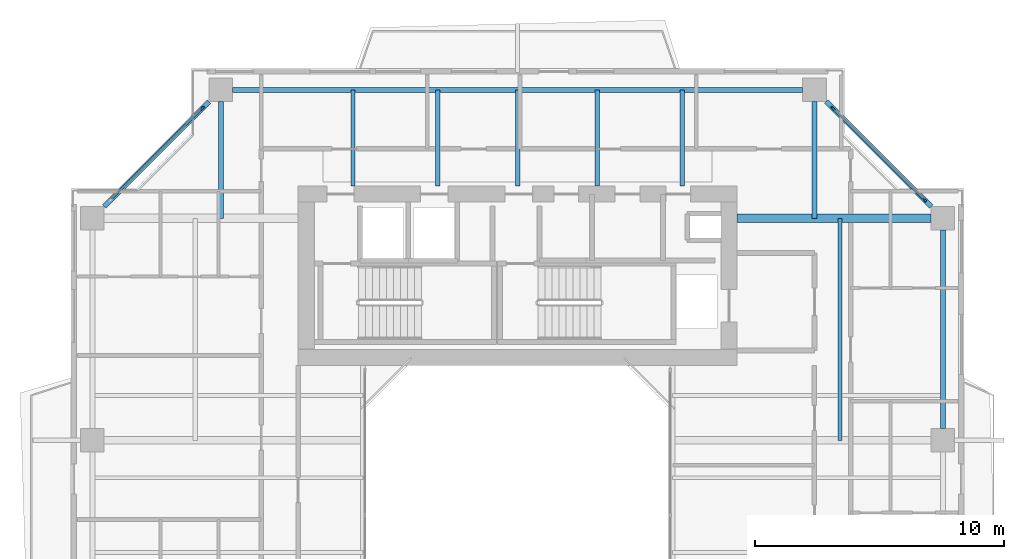
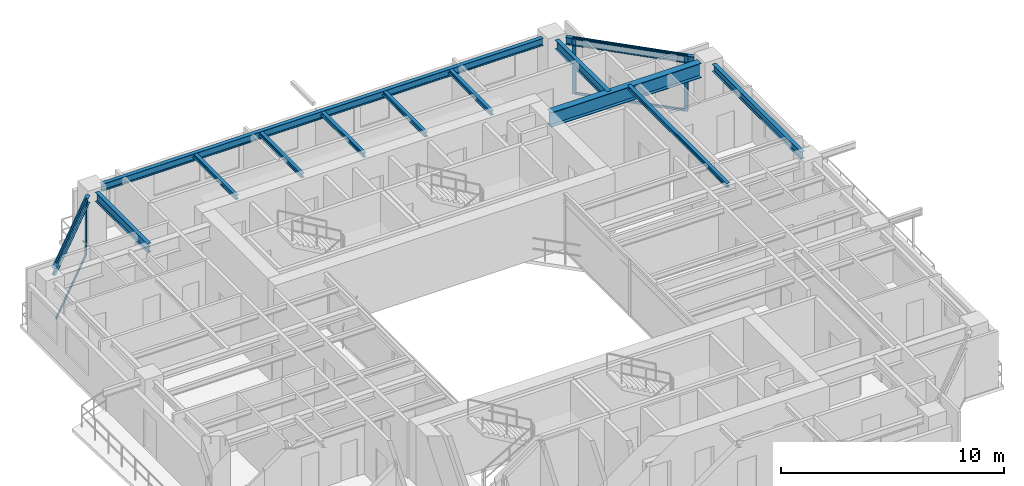
# One storey, part 9 of 18: 13 beams, 7 members, 2 elements without a shape of their own.
"""IFC4 building model written with IfcOpenShell, lengths in metres."""

from ifc_helpers import new_model, si_unit, direction, frame, origin, origin_2d, place, context, subcontext, project, spatial, rectangle, i_section, extrude, source, transform, mapped, material, layer, layer_set, material_profile, profile_set, type_object, element, aggregate, save


model = new_model("IFC4")

# Units and contexts
model_context = context("Model", 3, precision=1e-05, world=origin(), true_north=direction((0.0, 1.0)))
body_context = subcontext(model_context, "Body", "Model", "MODEL_VIEW")
ifc_project = project(units=[si_unit("LENGTHUNIT", "METRE"), si_unit("AREAUNIT", "SQUARE_METRE"), si_unit("VOLUMEUNIT", "CUBIC_METRE"), si_unit("PLANEANGLEUNIT", "RADIAN"), si_unit("MASSUNIT", "GRAM", prefix="KILO"), si_unit("THERMODYNAMICTEMPERATUREUNIT", "KELVIN"), si_unit("POWERUNIT", "WATT")], contexts=[model_context])

# Site, building, storey
site_placement = place(None, origin())
site = spatial("IfcSite", under=ifc_project, at=site_placement, CompositionType="ELEMENT")
building_placement = place(site_placement, origin())
building = spatial("IfcBuilding", under=site, at=building_placement, Name="Qiaomeng Ring Towers", CompositionType="ELEMENT")
storey_placement = place(building_placement, frame((0.0, 0.0, 179.5)))
storey = spatial("IfcBuildingStorey", under=building, at=storey_placement, Name="L52", CompositionType="ELEMENT", Elevation=179.5)

# Beams
ifc_material_1 = material(Name="Steel Q355B", Category="steel")
ifc_material_profile_1 = material_profile(ifc_material_1, i_section(OverallWidth=0.175048828125, OverallDepth=0.243896484375, WebThickness=0.007080078125, FlangeThickness=0.010986328125, FilletRadius=0.01611328125, at=origin_2d()), Name="HM 244x175x7x11")
ifc_profile_set_1 = profile_set([ifc_material_profile_1], Name="Steel Q355B")
beam_type_1 = type_object("IfcBeamType", Name="STR-BM-HM244", PredefinedType="JOIST", material=ifc_profile_set_1)
shared_shape_1 = source(origin(), body_context, "Body", "SweptSolid", [
    extrude(i_section(OverallWidth=0.175048828125, OverallDepth=0.243896484375, WebThickness=0.007080078125, FlangeThickness=0.010986328125, FilletRadius=0.01611328125, at=origin_2d()), origin(), (0.0, 0.0, 1.0), 3.85009765625),
])
for number, where, z_axis, x_axis, name in (
    (1, (12.39990234375, 36.199951171875, 2.947998046875), (0.0, 1.0, 0.0), (-1.0, 0.0, 0.0), "L52 beam STR-JST-L52-T1N-1"),
    (2, (15.800048828125, 36.199951171875, 2.947998046875), (0.0, 1.0, 0.0), (-1.0, 0.0, 0.0), "L52 beam STR-JST-L52-T1N-2"),
    (3, (19.0, 36.199951171875, 2.947998046875), (0.0, 1.0, 0.0), (-1.0, 0.0, 0.0), "L52 beam STR-JST-L52-T1N-3"),
    (4, (22.199951171875, 36.199951171875, 2.947998046875), (0.0, 1.0, 0.0), (-1.0, 0.0, 0.0), "L52 beam STR-JST-L52-T1N-4"),
    (5, (25.60009765625, 36.199951171875, 2.947998046875), (0.0, 1.0, 0.0), (-1.0, 0.0, 0.0), "L52 beam STR-JST-L52-T1N-5"),
):
    element("IfcBeam", number, at=place(storey_placement, frame(where, z_axis=z_axis, x_axis=x_axis)), inside=storey, type_object=beam_type_1, Name=name, PredefinedType="JOIST", context=body_context, shape_type="MappedRepresentation", body=[
        mapped(shared_shape_1, transform((0.0, 0.0, 0.0), x_axis=(1.0, 0.0, 0.0), y_axis=(0.0, 1.0, 0.0), z_axis=(0.0, 0.0, 1.0), scale=1.0)),
    ])
shared_shape_2 = source(origin(), body_context, "Body", "SweptSolid", [
    extrude(i_section(OverallWidth=0.175048828125, OverallDepth=0.243896484375, WebThickness=0.007080078125, FlangeThickness=0.010986328125, FilletRadius=0.01611328125, at=origin_2d()), origin(), (0.0, 0.0, 1.0), 8.89990234375),
])
beam_1_placement = place(storey_placement, frame((31.925048828125, 26.0, 2.947998046875), z_axis=(0.0, 1.0, 0.0), x_axis=(-1.0, 0.0, 0.0)))
element("IfcBeam", 6, at=beam_1_placement, inside=storey, type_object=beam_type_1, Name="L52 beam STR-JST-L52-T1C-EN", PredefinedType="JOIST", context=body_context, shape_type="MappedRepresentation", body=[
    mapped(shared_shape_2, transform((0.0, 0.0, 0.0), x_axis=(1.0, 0.0, 0.0), y_axis=(0.0, 1.0, 0.0), z_axis=(0.0, 0.0, 1.0), scale=1.0)),
])
ifc_material_profile_2 = material_profile(ifc_material_1, i_section(OverallWidth=0.199951171875, OverallDepth=0.39990234375, WebThickness=0.008056640625, FlangeThickness=0.012939453125, FilletRadius=0.01611328125, at=origin_2d()), Name="HN 400x200x8x13")
ifc_profile_set_2 = profile_set([ifc_material_profile_2], Name="Steel Q355B")
beam_type_2 = type_object("IfcBeamType", Name="STR-BM-HN400", PredefinedType="SPANDREL", material=ifc_profile_set_2)
shared_shape_3 = source(origin(), body_context, "Body", "SweptSolid", [
    extrude(i_section(OverallWidth=0.199951171875, OverallDepth=0.39990234375, WebThickness=0.008056640625, FlangeThickness=0.012939453125, FilletRadius=0.01611328125, at=origin_2d()), origin(), (0.0, 0.0, 1.0), 22.85205078125),
])
beam_2_placement = place(storey_placement, frame((30.426025390625, 40.050048828125, 2.8701171875), z_axis=(-1.0, 0.0, 0.0), x_axis=(0.0, -1.0, 0.0)))
element("IfcBeam", 7, at=beam_2_placement, inside=storey, type_object=beam_type_2, Name="L52 beam STR-SP-L52-T1-N2-N1", PredefinedType="SPANDREL", context=body_context, shape_type="MappedRepresentation", body=[
    mapped(shared_shape_3, transform((0.0, 0.0, 0.0), x_axis=(1.0, 0.0, 0.0), y_axis=(0.0, 1.0, 0.0), z_axis=(0.0, 0.0, 1.0), scale=1.0)),
])
shared_shape_4 = source(origin(), body_context, "Body", "SweptSolid", [
    extrude(i_section(OverallWidth=0.199951171875, OverallDepth=0.39990234375, WebThickness=0.008056640625, FlangeThickness=0.012939453125, FilletRadius=0.01611328125, at=origin_2d()), origin(), (0.0, 0.0, 1.0), 5.941650390625),
])
for number, where, z_axis, x_axis, name in (
    (8, (35.57568359375, 35.374267578125, 2.8701171875), (-0.707106781187, 0.707106781187, 0.0), (-0.707106781187, -0.707106781187, 0.0), "L52 beam STR-SP-L52-T1-E4-N2"),
    (9, (6.625732421875, 39.57568359375, 2.8701171875), (-0.707106781187, -0.707106781187, 0.0), (0.707106781187, -0.707106781187, 0.0), "L52 beam STR-SP-L52-T1-N1-W4"),
):
    element("IfcBeam", number, at=place(storey_placement, frame(where, z_axis=z_axis, x_axis=x_axis)), inside=storey, type_object=beam_type_2, Name=name, PredefinedType="SPANDREL", context=body_context, shape_type="MappedRepresentation", body=[
        mapped(shared_shape_4, transform((0.0, 0.0, 0.0), x_axis=(1.0, 0.0, 0.0), y_axis=(0.0, 1.0, 0.0), z_axis=(0.0, 0.0, 1.0), scale=1.0)),
    ])
shared_shape_5 = source(origin(), body_context, "Body", "SweptSolid", [
    extrude(i_section(OverallWidth=0.199951171875, OverallDepth=0.39990234375, WebThickness=0.008056640625, FlangeThickness=0.012939453125, FilletRadius=0.01611328125, at=origin_2d()), origin(), (0.0, 0.0, 1.0), 7.951904296875),
])
beam_3_placement = place(storey_placement, frame((36.050048828125, 26.47412109375, 2.8701171875), z_axis=(0.0, 1.0, 0.0), x_axis=(-1.0, 0.0, 0.0)))
element("IfcBeam", 10, at=beam_3_placement, inside=storey, type_object=beam_type_2, Name="L52 beam STR-SP-L52-T1-E3-E4", PredefinedType="SPANDREL", context=body_context, shape_type="MappedRepresentation", body=[
    mapped(shared_shape_5, transform((0.0, 0.0, 0.0), x_axis=(1.0, 0.0, 0.0), y_axis=(0.0, 1.0, 0.0), z_axis=(0.0, 0.0, 1.0), scale=1.0)),
])
ifc_material_2 = material(Name="Steel Q390GJC", Category="steel")
ifc_material_profile_3 = material_profile(ifc_material_2, i_section(OverallWidth=0.35009765625, OverallDepth=0.800048828125, WebThickness=0.01611328125, FlangeThickness=0.028076171875, at=origin_2d()), Name="WH 800x350x16x28")
ifc_profile_set_3 = profile_set([ifc_material_profile_3], Name="Steel Q390GJC")
beam_type_3 = type_object("IfcBeamType", Name="STR-BM-WH800", PredefinedType="BEAM", material=ifc_profile_set_3)
shared_shape_6 = source(origin(), body_context, "Body", "SweptSolid", [
    extrude(i_section(OverallWidth=0.35009765625, OverallDepth=0.800048828125, WebThickness=0.01611328125, FlangeThickness=0.028076171875, at=origin_2d()), origin(), (0.0, 0.0, 1.0), 7.77587890625),
])
beam_4_placement = place(storey_placement, frame((27.800048828125, 34.89990234375, 2.669921875), z_axis=(1.0, 0.0, 0.0), x_axis=(0.0, 1.0, 0.0)))
element("IfcBeam", 11, at=beam_4_placement, inside=storey, type_object=beam_type_3, Name="L52 beam STR-BM-L52-T1-RAD-E4", PredefinedType="BEAM", context=body_context, shape_type="MappedRepresentation", body=[
    mapped(shared_shape_6, transform((0.0, 0.0, 0.0), x_axis=(1.0, 0.0, 0.0), y_axis=(0.0, 1.0, 0.0), z_axis=(0.0, 0.0, 1.0), scale=1.0)),
])
ifc_material_profile_4 = material_profile(ifc_material_1, i_section(OverallWidth=0.199951171875, OverallDepth=0.5, WebThickness=0.010009765625, FlangeThickness=0.01611328125, FilletRadius=0.02001953125, at=origin_2d()), Name="HN 500x200x10x16")
ifc_profile_set_4 = profile_set([ifc_material_profile_4], Name="Steel Q355B")
beam_type_4 = type_object("IfcBeamType", Name="STR-BM-HN500", PredefinedType="BEAM", material=ifc_profile_set_4)
shared_shape_7 = source(origin(), body_context, "Body", "SweptSolid", [
    extrude(i_section(OverallWidth=0.199951171875, OverallDepth=0.5, WebThickness=0.010009765625, FlangeThickness=0.01611328125, FilletRadius=0.02001953125, at=origin_2d()), origin(), (0.0, 0.0, 1.0), 4.676025390625),
])
for number, where, z_axis, x_axis, name in (
    (12, (7.10009765625, 39.575927734375, 2.820068359375), (0.0, -1.0, 0.0), (1.0, 0.0, 0.0), "L52 beam STR-BM-L52-T1-RAD-N1"),
    (13, (30.89990234375, 39.575927734375, 2.820068359375), (0.0, -1.0, 0.0), (1.0, 0.0, 0.0), "L52 beam STR-BM-L52-T1-RAD-N2"),
):
    element("IfcBeam", number, at=place(storey_placement, frame(where, z_axis=z_axis, x_axis=x_axis)), inside=storey, type_object=beam_type_4, Name=name, PredefinedType="BEAM", context=body_context, shape_type="MappedRepresentation", body=[
        mapped(shared_shape_7, transform((0.0, 0.0, 0.0), x_axis=(1.0, 0.0, 0.0), y_axis=(0.0, 1.0, 0.0), z_axis=(0.0, 0.0, 1.0), scale=1.0)),
    ])

# Curtain wall, members
ifc_material_3 = material(Name="Fluorocarbon dark-grey aluminium", Category="aluminium")
ifc_layer = layer(ifc_material_3, 0.14990234375, Name="Fluorocarbon dark-grey aluminium")
ifc_layer_set = layer_set([ifc_layer], Name="Fluorocarbon dark-grey aluminium")
curtain_wall_type = type_object("IfcCurtainWallType", Name="ARC-CW-3", PredefinedType="NOTDEFINED", material=ifc_layer_set)
curtain_wall_1_placement = place(storey_placement, origin())
curtain_wall_1 = element("IfcCurtainWall", 14, at=curtain_wall_1_placement, inside=storey, type_object=curtain_wall_type, Name="L52 Curtain Wall CW3", PredefinedType="NOTDEFINED")
ifc_material_profile_5 = material_profile(ifc_material_3, rectangle(XDim=0.070068359375, YDim=0.179931640625, at=origin_2d()), Name="ALU MULL 70x180")
ifc_profile_set_5 = profile_set([ifc_material_profile_5], Name="Fluorocarbon dark-grey aluminium")
member_type_1 = type_object("IfcMemberType", Name="ARC-CWM-160", PredefinedType="MULLION", material=ifc_profile_set_5)
shared_shape_8 = source(origin(), body_context, "Body", "SweptSolid", [
    extrude(rectangle(XDim=0.070068359375, YDim=0.179931640625, at=origin_2d()), origin(), (0.0, 0.0, 1.0), 3.070068359375),
])
member_1_placement = place(storey_placement, frame((35.310302734375, 35.6396484375, 0.0), z_axis=(0.0, 0.0, 1.0), x_axis=(-0.707106781187, -0.707106781187, 0.0)))
member_1 = element("IfcMember", 15, at=member_1_placement, type_object=member_type_1, Name="CW3 mullion 1", PredefinedType="MULLION", context=body_context, shape_type="MappedRepresentation", body=[
    mapped(shared_shape_8, transform((0.0, 0.0, 0.0), x_axis=(1.0, 0.0, 0.0), y_axis=(0.0, 1.0, 0.0), z_axis=(0.0, 0.0, 1.0), scale=1.0)),
])
member_2_placement = place(storey_placement, frame((31.6396484375, 39.310302734375, 0.0), z_axis=(0.0, 0.0, 1.0), x_axis=(-0.707106781187, -0.707106781187, 0.0)))
member_2 = element("IfcMember", 16, at=member_2_placement, type_object=member_type_1, Name="CW3 mullion 2", PredefinedType="MULLION", context=body_context, shape_type="MappedRepresentation", body=[
    mapped(shared_shape_8, transform((0.0, 0.0, 0.0), x_axis=(1.0, 0.0, 0.0), y_axis=(0.0, 1.0, 0.0), z_axis=(0.0, 0.0, 1.0), scale=1.0)),
])

# Curtain wall, member
curtain_wall_2_placement = place(storey_placement, origin())
curtain_wall_2 = element("IfcCurtainWall", 17, at=curtain_wall_2_placement, inside=storey, type_object=curtain_wall_type, Name="L52 Curtain Wall CW3", PredefinedType="NOTDEFINED")
member_3_placement = place(storey_placement, frame((6.3603515625, 39.310302734375, 0.0), z_axis=(0.0, 0.0, 1.0), x_axis=(0.707106781187, -0.707106781187, 0.0)))
member_3 = element("IfcMember", 18, at=member_3_placement, type_object=member_type_1, Name="CW3 mullion 1", PredefinedType="MULLION", context=body_context, shape_type="MappedRepresentation", body=[
    mapped(shared_shape_8, transform((0.0, 0.0, 0.0), x_axis=(1.0, 0.0, 0.0), y_axis=(0.0, 1.0, 0.0), z_axis=(0.0, 0.0, 1.0), scale=1.0)),
])

# Member
ifc_material_profile_6 = material_profile(ifc_material_3, rectangle(XDim=0.06494140625, YDim=0.1298828125, at=origin_2d()), Name="ALU TRAN 65x130")
ifc_profile_set_6 = profile_set([ifc_material_profile_6], Name="Fluorocarbon dark-grey aluminium")
member_type_2 = type_object("IfcMemberType", Name="ARC-CWT-120", PredefinedType="USERDEFINED", material=ifc_profile_set_6)
shared_shape_9 = source(origin(), body_context, "Body", "SweptSolid", [
    extrude(rectangle(XDim=0.06494140625, YDim=0.1298828125, at=origin_2d()), origin(), (0.0, 0.0, 1.0), 5.12060546875),
])
member_4_placement = place(storey_placement, frame((35.285400390625, 35.66455078125, 0.032470703125), z_axis=(-0.707106781187, 0.707106781187, 0.0), x_axis=(-0.707106781187, -0.707106781187, 0.0)))
member_4 = element("IfcMember", 19, at=member_4_placement, type_object=member_type_2, Name="CW3 transom 1.1", ObjectType="TRANSOM", PredefinedType="USERDEFINED", context=body_context, shape_type="MappedRepresentation", body=[
    mapped(shared_shape_9, transform((0.0, 0.0, 0.0), x_axis=(1.0, 0.0, 0.0), y_axis=(0.0, 1.0, 0.0), z_axis=(0.0, 0.0, 1.0), scale=1.0)),
])

member_5_placement = place(storey_placement, frame((35.285400390625, 35.66455078125, 3.03759765625), z_axis=(-0.707106781187, 0.707106781187, 0.0), x_axis=(-0.707106781187, -0.707106781187, 0.0)))
member_5 = element("IfcMember", 20, at=member_5_placement, type_object=member_type_2, Name="CW3 transom 1.2", ObjectType="TRANSOM", PredefinedType="USERDEFINED", context=body_context, shape_type="MappedRepresentation", body=[
    mapped(shared_shape_9, transform((0.0, 0.0, 0.0), x_axis=(1.0, 0.0, 0.0), y_axis=(0.0, 1.0, 0.0), z_axis=(0.0, 0.0, 1.0), scale=1.0)),
])

aggregate(curtain_wall_1, [member_1, member_2, member_4, member_5])

member_6_placement = place(storey_placement, frame((6.33544921875, 39.285400390625, 0.032470703125), z_axis=(-0.707106781187, -0.707106781187, 0.0), x_axis=(0.707106781187, -0.707106781187, 0.0)))
member_6 = element("IfcMember", 21, at=member_6_placement, type_object=member_type_2, Name="CW3 transom 1.1", ObjectType="TRANSOM", PredefinedType="USERDEFINED", context=body_context, shape_type="MappedRepresentation", body=[
    mapped(shared_shape_9, transform((0.0, 0.0, 0.0), x_axis=(1.0, 0.0, 0.0), y_axis=(0.0, 1.0, 0.0), z_axis=(0.0, 0.0, 1.0), scale=1.0)),
])

member_7_placement = place(storey_placement, frame((6.33544921875, 39.285400390625, 3.03759765625), z_axis=(-0.707106781187, -0.707106781187, 0.0), x_axis=(0.707106781187, -0.707106781187, 0.0)))
member_7 = element("IfcMember", 22, at=member_7_placement, type_object=member_type_2, Name="CW3 transom 1.2", ObjectType="TRANSOM", PredefinedType="USERDEFINED", context=body_context, shape_type="MappedRepresentation", body=[
    mapped(shared_shape_9, transform((0.0, 0.0, 0.0), x_axis=(1.0, 0.0, 0.0), y_axis=(0.0, 1.0, 0.0), z_axis=(0.0, 0.0, 1.0), scale=1.0)),
])

aggregate(curtain_wall_2, [member_3, member_6, member_7])

save(model, "model.ifc")
